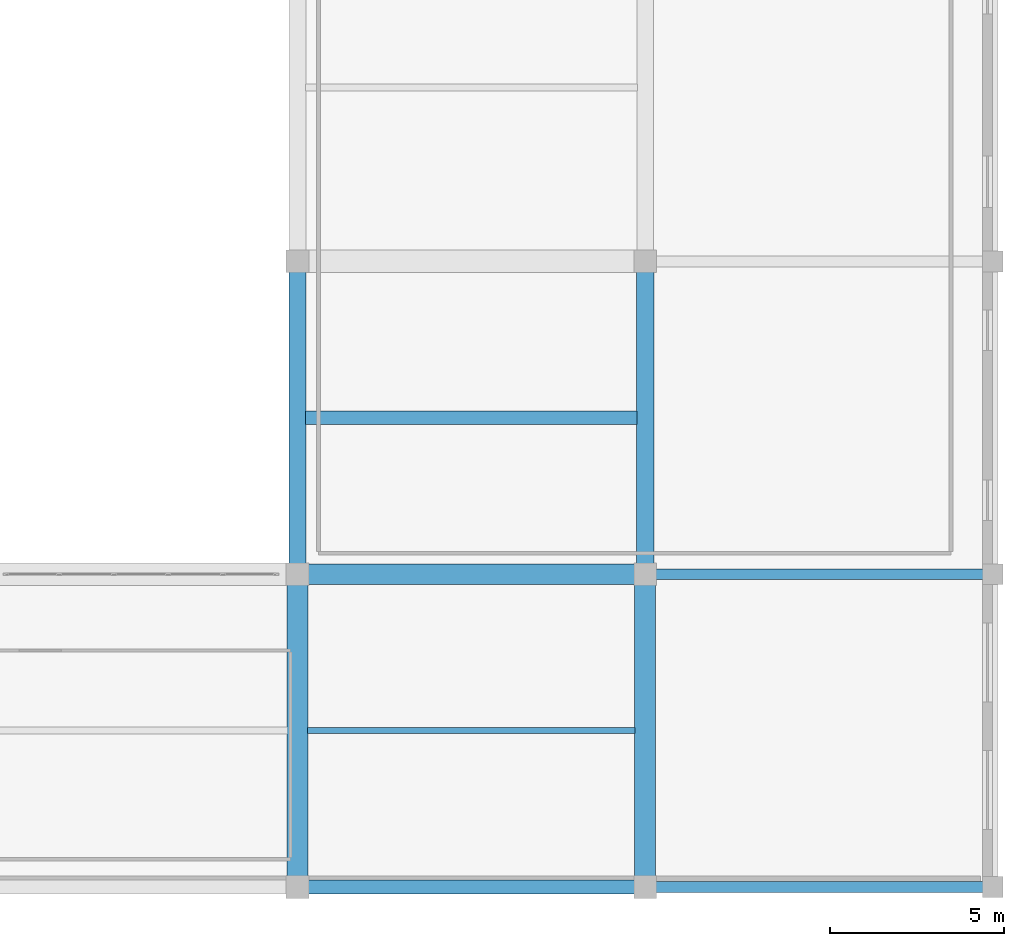
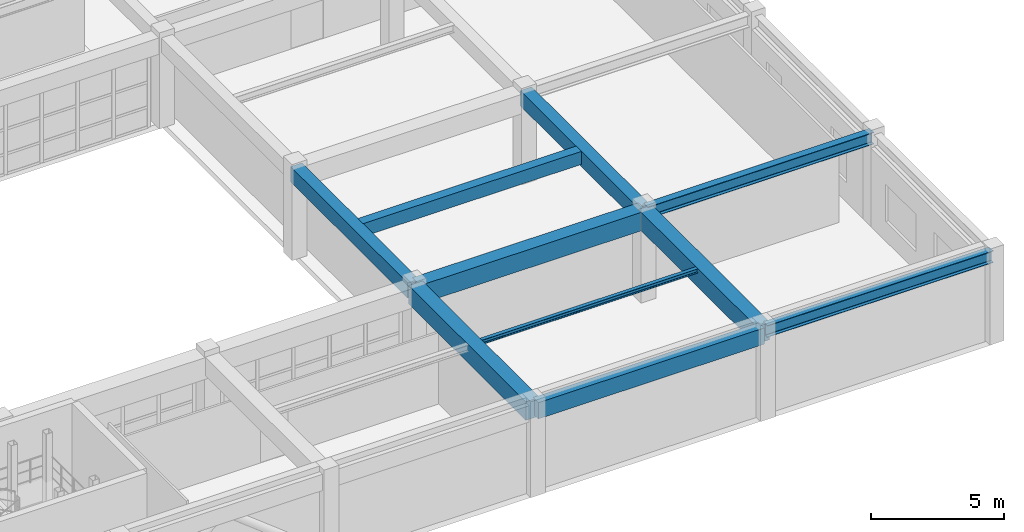
# One storey, part 79 of 133: 10 beams.
"""IFC4 building model written with IfcOpenShell, lengths in metres."""

from ifc_helpers import new_model, si_unit, direction, frame, origin, origin_2d, place, context, subcontext, project, spatial, rectangle, i_section, extrude, material, material_profile, profile_set, type_object, element, save


model = new_model("IFC4")

# Units and contexts
model_context = context("Model", 3, precision=1e-05, world=origin(), true_north=direction((0.0, 1.0)))
body_context = subcontext(model_context, "Body", "Model", "MODEL_VIEW")
ifc_project = project(units=[si_unit("LENGTHUNIT", "METRE"), si_unit("AREAUNIT", "SQUARE_METRE"), si_unit("VOLUMEUNIT", "CUBIC_METRE"), si_unit("PLANEANGLEUNIT", "RADIAN"), si_unit("MASSUNIT", "GRAM", prefix="KILO")], contexts=[model_context])

# Site, building, storey
site_placement = place(None, origin())
site = spatial("IfcSite", under=ifc_project, at=site_placement, CompositionType="ELEMENT")
building_placement = place(site_placement, origin())
building = spatial("IfcBuilding", under=site, at=building_placement, Name="Miravela Opera House", CompositionType="ELEMENT")
storey_placement = place(building_placement, frame((0.0, 0.0, 5.10009765625)))
storey = spatial("IfcBuildingStorey", under=building, at=storey_placement, Name="L01", CompositionType="ELEMENT", Elevation=5.10009765625)

# Beams
ifc_material_1 = material(Name="Concrete C35/45", Category="concrete")
ifc_material_profile_1 = material_profile(ifc_material_1, rectangle(XDim=0.39990234375, YDim=0.60009765625, at=origin_2d()), Name="RC-BM-400X600")
ifc_profile_set_1 = profile_set([ifc_material_profile_1])
beam_type_1 = type_object("IfcBeamType", Name="STR-BM-RC400X600", PredefinedType="JOIST", material=ifc_profile_set_1)
beam_1_placement = place(storey_placement, frame((144.235107421875, 13.5, 3.85986328125), z_axis=(1.0, 0.0, 0.0), x_axis=(0.0, 1.0, 0.0)))
element("IfcBeam", 1, at=beam_1_placement, inside=storey, type_object=beam_type_1, Name="Secondary Floor Joist L01 17-18/B-C", PredefinedType="JOIST", context=body_context, shape_type="SweptSolid", body=[
    extrude(rectangle(XDim=0.39990234375, YDim=0.60009765625, at=origin_2d()), origin(), (0.0, 0.0, 1.0), 9.52978515625),
])
ifc_material_profile_2 = material_profile(ifc_material_1, rectangle(XDim=0.5, YDim=0.699951171875, at=origin_2d()), Name="RC-BM-500X700")
ifc_profile_set_2 = profile_set([ifc_material_profile_2])
beam_type_2 = type_object("IfcBeamType", Name="STR-BM-RC500X700", PredefinedType="BEAM", material=ifc_profile_set_2)
for number, where, z_axis, x_axis, name in (
    (2, (144.0, 9.080078125, 3.809814453125), (0.0, 1.0, 0.0), (-1.0, 0.0, 0.0), "Floor Girder L01 17/B-C"),
    (3, (154.0, 9.080078125, 3.809814453125), (0.0, 1.0, 0.0), (-1.0, 0.0, 0.0), "Floor Girder L01 18/B-C"),
):
    element("IfcBeam", number, at=place(storey_placement, frame(where, z_axis=z_axis, x_axis=x_axis)), inside=storey, type_object=beam_type_2, Name=name, PredefinedType="BEAM", context=body_context, shape_type="SweptSolid", body=[
        extrude(rectangle(XDim=0.5, YDim=0.699951171875, at=origin_2d()), origin(), (0.0, 0.0, 1.0), 8.83984375),
    ])
ifc_material_2 = material(Name="Concrete C40/50", Category="concrete")
ifc_material_profile_3 = material_profile(ifc_material_2, rectangle(XDim=0.60009765625, YDim=0.85009765625, at=origin_2d()), Name="RC-BM-600X850")
ifc_profile_set_3 = profile_set([ifc_material_profile_3])
beam_type_3 = type_object("IfcBeamType", Name="STR-BM-RC600X850", PredefinedType="BEAM", material=ifc_profile_set_3)
beam_2_placement = place(storey_placement, frame((144.080078125, 9.0, 3.73486328125), z_axis=(1.0, 0.0, 0.0), x_axis=(0.0, 1.0, 0.0)))
element("IfcBeam", 4, at=beam_2_placement, inside=storey, type_object=beam_type_3, Name="Floor Girder L01 17-18/B", PredefinedType="BEAM", context=body_context, shape_type="SweptSolid", body=[
    extrude(rectangle(XDim=0.60009765625, YDim=0.85009765625, at=origin_2d()), origin(), (0.0, 0.0, 1.0), 9.83984375),
])
for number, where, z_axis, x_axis, name in (
    (5, (144.0, 0.080078125, 3.73486328125), (0.0, 1.0, 0.0), (-1.0, 0.0, 0.0), "Floor Girder L01 17/A-B"),
    (6, (154.0, 0.080078125, 3.73486328125), (0.0, 1.0, 0.0), (-1.0, 0.0, 0.0), "Floor Girder L01 18/A-B"),
):
    element("IfcBeam", number, at=place(storey_placement, frame(where, z_axis=z_axis, x_axis=x_axis)), inside=storey, type_object=beam_type_3, Name=name, PredefinedType="BEAM", context=body_context, shape_type="SweptSolid", body=[
        extrude(rectangle(XDim=0.60009765625, YDim=0.85009765625, at=origin_2d()), origin(), (0.0, 0.0, 1.0), 8.83984375),
    ])
ifc_material_3 = material(Name="Structural steel ASTM A992 Gr. 50", Category="steel")
ifc_material_profile_4 = material_profile(ifc_material_3, i_section(OverallWidth=0.1650390625, OverallDepth=0.200927734375, WebThickness=0.006103515625, FlangeThickness=0.01025390625, FilletRadius=0.010009765625, at=origin_2d()), Name="W200X36")
ifc_profile_set_4 = profile_set([ifc_material_profile_4])
beam_type_4 = type_object("IfcBeamType", Name="STR-BM-W200X36", PredefinedType="LINTEL", material=ifc_profile_set_4)
beam_3_placement = place(storey_placement, frame((144.284912109375, 4.5, 4.059326171875), z_axis=(1.0, 0.0, 0.0), x_axis=(0.0, 1.0, 0.0)))
element("IfcBeam", 7, at=beam_3_placement, inside=storey, type_object=beam_type_4, Name="Secondary Floor Joist L01 17-18/A-B", PredefinedType="LINTEL", context=body_context, shape_type="SweptSolid", body=[
    extrude(i_section(OverallWidth=0.1650390625, OverallDepth=0.200927734375, WebThickness=0.006103515625, FlangeThickness=0.01025390625, FilletRadius=0.010009765625, at=origin_2d()), origin(), (0.0, 0.0, 1.0), 9.43017578125),
])
ifc_material_profile_5 = material_profile(ifc_material_3, i_section(OverallWidth=0.31201171875, OverallDepth=0.54296875, WebThickness=0.0126953125, FlangeThickness=0.020263671875, FilletRadius=0.01611328125, at=origin_2d()), Name="W530X150")
ifc_profile_set_5 = profile_set([ifc_material_profile_5])
beam_type_5 = type_object("IfcBeamType", Name="STR-BM-W530X150", PredefinedType="BEAM", material=ifc_profile_set_5)
for number, where, z_axis, x_axis, name in (
    (8, (154.080078125, 0.0, 3.908447265625), (1.0, 0.0, 0.0), (0.0, 1.0, 0.0), "Roof King-Post Transverse Tie Girder ROOF-V4-FAR-E T0.1"),
    (9, (154.080078125, 9.0, 3.908447265625), (1.0, 0.0, 0.0), (0.0, 1.0, 0.0), "Roof King-Post Transverse Tie Girder ROOF-V4-FAR-E T1.1"),
):
    element("IfcBeam", number, at=place(storey_placement, frame(where, z_axis=z_axis, x_axis=x_axis)), inside=storey, type_object=beam_type_5, Name=name, PredefinedType="BEAM", context=body_context, shape_type="SweptSolid", body=[
        extrude(i_section(OverallWidth=0.31201171875, OverallDepth=0.54296875, WebThickness=0.0126953125, FlangeThickness=0.020263671875, FilletRadius=0.01611328125, at=origin_2d()), origin(), (0.0, 0.0, 1.0), 9.83984375),
    ])
ifc_material_profile_6 = material_profile(ifc_material_1, rectangle(XDim=0.39990234375, YDim=0.75, at=origin_2d()), Name="RC-SPN-400X750")
ifc_profile_set_6 = profile_set([ifc_material_profile_6])
beam_type_6 = type_object("IfcBeamType", Name="STR-SPN-RC400X750", PredefinedType="SPANDREL", material=ifc_profile_set_6)
beam_4_placement = place(storey_placement, frame((144.080078125, 0.0, 3.784912109375), z_axis=(1.0, 0.0, 0.0), x_axis=(0.0, 1.0, 0.0)))
element("IfcBeam", 10, at=beam_4_placement, inside=storey, type_object=beam_type_6, Name="Floor Girder L01 17-18/A", PredefinedType="SPANDREL", context=body_context, shape_type="SweptSolid", body=[
    extrude(rectangle(XDim=0.39990234375, YDim=0.75, at=origin_2d()), origin(), (0.0, 0.0, 1.0), 9.83984375),
])

save(model, "model.ifc")
